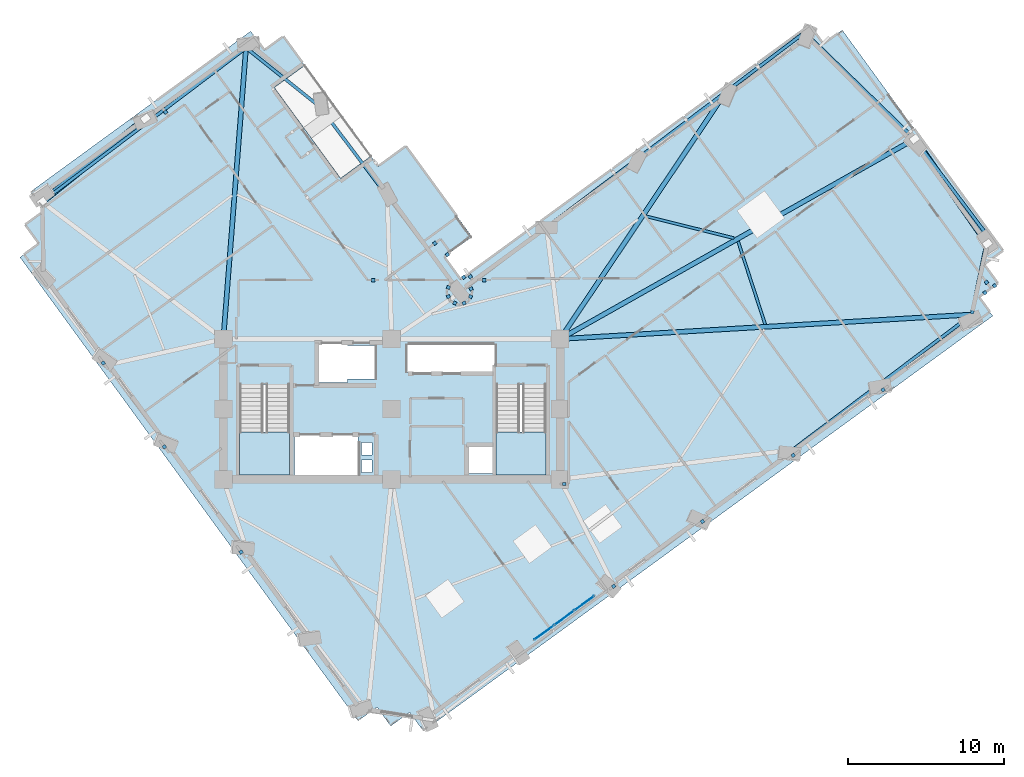
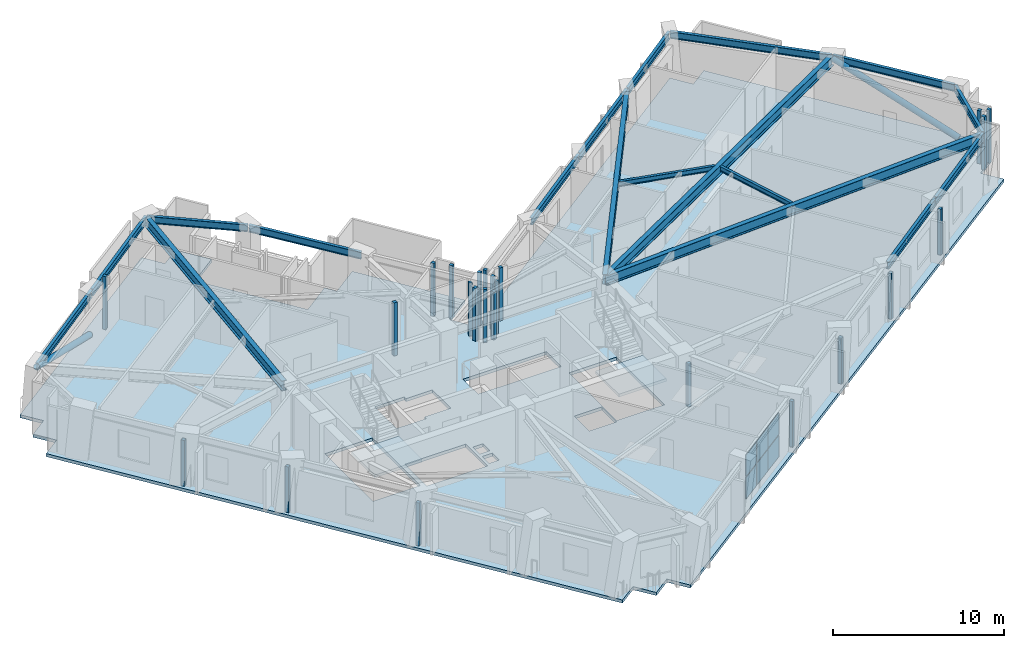
# One storey, part 3 of 14: 30 plates, 18 beams, 3 slabs, 2 members, 3 elements without a shape of their own.
"""IFC4 building model written with IfcOpenShell, lengths in metres."""

from ifc_helpers import new_model, si_unit, direction, frame, origin, origin_2d, place, context, subcontext, project, spatial, polyline, rectangle, hollow_circle, i_section, outline, extrude, material, layer, layer_set, material_profile, profile_set, type_object, element, aggregate, save


model = new_model("IFC4")

# Units and contexts
model_context = context("Model", 3, precision=1e-05, world=origin(), true_north=direction((0.0, 1.0)))
body_context = subcontext(model_context, "Body", "Model", "MODEL_VIEW")
ifc_project = project(units=[si_unit("LENGTHUNIT", "METRE"), si_unit("AREAUNIT", "SQUARE_METRE"), si_unit("VOLUMEUNIT", "CUBIC_METRE"), si_unit("PLANEANGLEUNIT", "RADIAN"), si_unit("MASSUNIT", "GRAM", prefix="KILO")], contexts=[model_context])

# Site, building, storey
site_placement = place(None, origin())
site = spatial("IfcSite", under=ifc_project, at=site_placement, CompositionType="ELEMENT")
building_placement = place(site_placement, origin())
building = spatial("IfcBuilding", under=site, at=building_placement, Name="Gaonmaruhae Medical Tower", CompositionType="ELEMENT")
storey_placement = place(building_placement, frame((0.0, 0.0, 177.800048828125)))
storey = spatial("IfcBuildingStorey", under=building, at=storey_placement, Name="L42", CompositionType="ELEMENT", Elevation=177.800048828125)

# Beams
ifc_material_1 = material(Name="Steel SM355", Category="steel")
ifc_material_profile_1 = material_profile(ifc_material_1, i_section(OverallWidth=0.175048828125, OverallDepth=0.35009765625, WebThickness=0.007080078125, FlangeThickness=0.010986328125, FilletRadius=0.012939453125, at=origin_2d()), Name="H-350x175x7x11")
ifc_profile_set_1 = profile_set([ifc_material_profile_1], Name="Steel SM355")
beam_type_1 = type_object("IfcBeamType", Name="FJ-02 Upper Zone Ward Floor Joist (H-350x175x7x11)", PredefinedType="JOIST", material=ifc_profile_set_1)
beam_1_placement = place(storey_placement, frame((48.755126953125, 17.73779296875, 3.60498046875), z_axis=(-0.310324617175, 0.950630649608, 0.0), x_axis=(-0.950630649608, -0.310324617175, 0.0)))
element("IfcBeam", 1, at=beam_1_placement, inside=storey, type_object=beam_type_1, Name="L42 Secondary Floor Joist FJ04", PredefinedType="JOIST", context=body_context, shape_type="SweptSolid", body=[
    extrude(i_section(OverallWidth=0.175048828125, OverallDepth=0.35009765625, WebThickness=0.007080078125, FlangeThickness=0.010986328125, FilletRadius=0.012939453125, at=origin_2d()), origin(), (0.0, 0.0, 1.0), 5.6015625),
])
beam_2_placement = place(storey_placement, frame((46.749755859375, 23.26806640625, 3.60498046875), z_axis=(-0.970433957363, 0.241366804672, 0.0), x_axis=(-0.241366804672, -0.970433957363, 0.0)))
element("IfcBeam", 2, at=beam_2_placement, inside=storey, type_object=beam_type_1, Name="L42 Secondary Floor Joist FJ05", PredefinedType="JOIST", context=body_context, shape_type="SweptSolid", body=[
    extrude(i_section(OverallWidth=0.175048828125, OverallDepth=0.35009765625, WebThickness=0.007080078125, FlangeThickness=0.010986328125, FilletRadius=0.012939453125, at=origin_2d()), origin(), (0.0, 0.0, 1.0), 5.849365234375),
])

# Members
ifc_material_2 = material(Name="Steel SM420", Category="steel")
ifc_material_profile_2 = material_profile(ifc_material_2, hollow_circle(Radius=0.203125, WallThickness=0.0126953125, at=origin_2d()), Name="CHS-406.4x12.7")
ifc_profile_set_2 = profile_set([ifc_material_profile_2], Name="Steel SM420")
member_type = type_object("IfcMemberType", Name="PB-02 Perimeter Solid-Bay Tube Brace Mid (CHS-406.4x12.7)", PredefinedType="BRACE", material=ifc_profile_set_2)
member_1_placement = place(storey_placement, frame((63.00732421875, 22.914794921875, 0.25), z_axis=(-0.530223486642, 0.761784146134, 0.372220323077), x_axis=(-0.820760373534, -0.571272622516, 0.0)))
element("IfcMember", 3, at=member_1_placement, inside=storey, type_object=member_type, Name="L42 Perimeter Tube Solid-Bay Brace E01-E02", PredefinedType="BRACE", context=body_context, shape_type="SweptSolid", body=[
    extrude(hollow_circle(Radius=0.203125, WallThickness=0.0126953125, at=origin_2d()), origin(), (0.0, 0.0, 1.0), 8.81201171875),
])
member_2_placement = place(storey_placement, frame((9.01025390625, 30.94091796875, 0.25), z_axis=(-0.726963451871, -0.585386057205, 0.358953066114), x_axis=(0.62718437688, -0.778870822023, 0.0)))
element("IfcMember", 4, at=member_2_placement, inside=storey, type_object=member_type, Name="L42 Perimeter Tube Solid-Bay Brace N02-N03", PredefinedType="BRACE", context=body_context, shape_type="SweptSolid", body=[
    extrude(hollow_circle(Radius=0.203125, WallThickness=0.0126953125, at=origin_2d()), origin(), (0.0, 0.0, 1.0), 9.1376953125),
])

# Beams
ifc_material_profile_3 = material_profile(ifc_material_2, i_section(OverallWidth=0.300048828125, OverallDepth=0.699951171875, WebThickness=0.012939453125, FlangeThickness=0.02392578125, FilletRadius=0.01806640625, at=origin_2d()), Name="H-700x300x13x24")
ifc_profile_set_3 = profile_set([ifc_material_profile_3], Name="Steel SM420")
beam_type_2 = type_object("IfcBeamType", Name="PG-03 Zone 3 Radial Floor Girder (H-700x300x13x24)", PredefinedType="BEAM", material=ifc_profile_set_3)
beam_3_placement = place(storey_placement, frame((35.64990234375, 16.802978515625, 3.429931640625), z_axis=(0.998239607986, 0.059310075439, 0.0), x_axis=(-0.059310075439, 0.998239607986, 0.0)))
element("IfcBeam", 5, at=beam_3_placement, inside=storey, type_object=beam_type_2, Name="L42 Radial Primary Girder S07", PredefinedType="BEAM", context=body_context, shape_type="SweptSolid", body=[
    extrude(i_section(OverallWidth=0.300048828125, OverallDepth=0.699951171875, WebThickness=0.012939453125, FlangeThickness=0.02392578125, FilletRadius=0.01806640625, at=origin_2d()), origin(), (0.0, 0.0, 1.0), 26.35693359375),
])
beam_4_placement = place(storey_placement, frame((35.6435546875, 16.824462890625, 3.429931640625), z_axis=(0.870928397763, 0.491409936784, 0.0), x_axis=(-0.491409936784, 0.870928397763, 0.0)))
element("IfcBeam", 6, at=beam_4_placement, inside=storey, type_object=beam_type_2, Name="L42 Radial Primary Girder E02", PredefinedType="BEAM", context=body_context, shape_type="SweptSolid", body=[
    extrude(i_section(OverallWidth=0.300048828125, OverallDepth=0.699951171875, WebThickness=0.012939453125, FlangeThickness=0.02392578125, FilletRadius=0.01806640625, at=origin_2d()), origin(), (0.0, 0.0, 1.0), 26.00439453125),
])
beam_5_placement = place(storey_placement, frame((35.6279296875, 16.841552734375, 3.429931640625), z_axis=(0.557076453789, 0.830461211999, 0.0), x_axis=(-0.830461211999, 0.557076453789, 0.0)))
element("IfcBeam", 7, at=beam_5_placement, inside=storey, type_object=beam_type_2, Name="L42 Radial Primary Girder EN01", PredefinedType="BEAM", context=body_context, shape_type="SweptSolid", body=[
    extrude(i_section(OverallWidth=0.300048828125, OverallDepth=0.699951171875, WebThickness=0.012939453125, FlangeThickness=0.02392578125, FilletRadius=0.01806640625, at=origin_2d()), origin(), (0.0, 0.0, 1.0), 18.973388671875),
])
beam_6_placement = place(storey_placement, frame((14.00390625, 16.849853515625, 3.429931640625), z_axis=(0.077751713366, 0.996972753423, 0.0), x_axis=(-0.996972753423, 0.077751713366, 0.0)))
element("IfcBeam", 8, at=beam_6_placement, inside=storey, type_object=beam_type_2, Name="L42 Radial Primary Girder N01", PredefinedType="BEAM", context=body_context, shape_type="SweptSolid", body=[
    extrude(i_section(OverallWidth=0.300048828125, OverallDepth=0.699951171875, WebThickness=0.012939453125, FlangeThickness=0.02392578125, FilletRadius=0.01806640625, at=origin_2d()), origin(), (0.0, 0.0, 1.0), 18.629638671875),
])
ifc_material_profile_4 = material_profile(ifc_material_1, i_section(OverallWidth=0.199951171875, OverallDepth=0.5, WebThickness=0.010009765625, FlangeThickness=0.01611328125, FilletRadius=0.012939453125, at=origin_2d()), Name="H-500x200x10x16")
ifc_profile_set_4 = profile_set([ifc_material_profile_4], Name="Steel SM355")
beam_type_3 = type_object("IfcBeamType", Name="SP-02 Upper Perimeter Spandrel Beam (H-500x200x10x16)", PredefinedType="SPANDREL", material=ifc_profile_set_4)
beam_7_placement = place(storey_placement, frame((50.549560546875, 9.71728515625, 3.530029296875), z_axis=(0.798107325275, 0.602515308804, 0.0), x_axis=(-0.602515308804, 0.798107325275, 0.0)))
element("IfcBeam", 9, at=beam_7_placement, inside=storey, type_object=beam_type_3, Name="L42 Perimeter Spandrel Beam S05-S06", PredefinedType="SPANDREL", context=body_context, shape_type="SweptSolid", body=[
    extrude(i_section(OverallWidth=0.199951171875, OverallDepth=0.5, WebThickness=0.010009765625, FlangeThickness=0.01611328125, FilletRadius=0.012939453125, at=origin_2d()), origin(), (0.0, 0.0, 1.0), 7.119873046875),
])
beam_8_placement = place(storey_placement, frame((56.2958984375, 14.05517578125, 3.530029296875), z_axis=(0.798103284433, 0.60252066137, 0.0), x_axis=(-0.60252066137, 0.798103284433, 0.0)))
element("IfcBeam", 10, at=beam_8_placement, inside=storey, type_object=beam_type_3, Name="L42 Perimeter Spandrel Beam S06-S07", PredefinedType="SPANDREL", context=body_context, shape_type="SweptSolid", body=[
    extrude(i_section(OverallWidth=0.199951171875, OverallDepth=0.5, WebThickness=0.010009765625, FlangeThickness=0.01611328125, FilletRadius=0.012939453125, at=origin_2d()), origin(), (0.0, 0.0, 1.0), 7.1201171875),
])
beam_9_placement = place(storey_placement, frame((62.018310546875, 18.408447265625, 3.530029296875), z_axis=(0.199411312026, 0.979915878347, 0.0), x_axis=(-0.979915878347, 0.199411312026, 0.0)))
element("IfcBeam", 11, at=beam_9_placement, inside=storey, type_object=beam_type_3, Name="L42 Perimeter Spandrel Beam S07-E01", PredefinedType="SPANDREL", context=body_context, shape_type="SweptSolid", body=[
    extrude(i_section(OverallWidth=0.199951171875, OverallDepth=0.5, WebThickness=0.010009765625, FlangeThickness=0.01611328125, FilletRadius=0.012939453125, at=origin_2d()), origin(), (0.0, 0.0, 1.0), 5.056396484375),
])
beam_10_placement = place(storey_placement, frame((63.010498046875, 23.434326171875, 3.530029296875), z_axis=(-0.602496616436, 0.798121436364, 0.0), x_axis=(-0.798121436364, -0.602496616436, 0.0)))
element("IfcBeam", 12, at=beam_10_placement, inside=storey, type_object=beam_type_3, Name="L42 Perimeter Spandrel Beam E01-E02", PredefinedType="SPANDREL", context=body_context, shape_type="SweptSolid", body=[
    extrude(i_section(OverallWidth=0.199951171875, OverallDepth=0.5, WebThickness=0.010009765625, FlangeThickness=0.01611328125, FilletRadius=0.012939453125, at=origin_2d()), origin(), (0.0, 0.0, 1.0), 7.72021484375),
])
beam_11_placement = place(storey_placement, frame((58.30615234375, 29.65576171875, 3.530029296875), z_axis=(-0.717412942698, 0.696648167764, 0.0), x_axis=(-0.696648167764, -0.717412942698, 0.0)))
element("IfcBeam", 13, at=beam_11_placement, inside=storey, type_object=beam_type_3, Name="L42 Perimeter Spandrel Beam E02-E03", PredefinedType="SPANDREL", context=body_context, shape_type="SweptSolid", body=[
    extrude(i_section(OverallWidth=0.199951171875, OverallDepth=0.5, WebThickness=0.010009765625, FlangeThickness=0.01611328125, FilletRadius=0.012939453125, at=origin_2d()), origin(), (0.0, 0.0, 1.0), 9.735107421875),
])
beam_12_placement = place(storey_placement, frame((51.261474609375, 36.441650390625, 3.530029296875), z_axis=(-0.798103654473, -0.602520171211, 0.0), x_axis=(0.602520171211, -0.798103654473, 0.0)))
element("IfcBeam", 14, at=beam_12_placement, inside=storey, type_object=beam_type_3, Name="L42 Perimeter Spandrel Beam E03-EN01", PredefinedType="SPANDREL", context=body_context, shape_type="SweptSolid", body=[
    extrude(i_section(OverallWidth=0.199951171875, OverallDepth=0.5, WebThickness=0.010009765625, FlangeThickness=0.01611328125, FilletRadius=0.012939453125, at=origin_2d()), origin(), (0.0, 0.0, 1.0), 6.27001953125),
])
beam_13_placement = place(storey_placement, frame((46.193603515625, 32.61572265625, 3.530029296875), z_axis=(-0.798103284433, -0.60252066137, 0.0), x_axis=(0.60252066137, -0.798103284433, 0.0)))
element("IfcBeam", 15, at=beam_13_placement, inside=storey, type_object=beam_type_3, Name="L42 Perimeter Spandrel Beam EN01-EN02", PredefinedType="SPANDREL", context=body_context, shape_type="SweptSolid", body=[
    extrude(i_section(OverallWidth=0.199951171875, OverallDepth=0.5, WebThickness=0.010009765625, FlangeThickness=0.01611328125, FilletRadius=0.012939453125, at=origin_2d()), origin(), (0.0, 0.0, 1.0), 7.1201171875),
])
beam_14_placement = place(storey_placement, frame((40.447021484375, 28.277587890625, 3.530029296875), z_axis=(-0.798090836063, -0.602537150217, 0.0), x_axis=(0.602537150217, -0.798090836063, 0.0)))
element("IfcBeam", 16, at=beam_14_placement, inside=storey, type_object=beam_type_3, Name="L42 Perimeter Spandrel Beam EN02-EN03", PredefinedType="SPANDREL", context=body_context, shape_type="SweptSolid", body=[
    extrude(i_section(OverallWidth=0.199951171875, OverallDepth=0.5, WebThickness=0.010009765625, FlangeThickness=0.01611328125, FilletRadius=0.012939453125, at=origin_2d()), origin(), (0.0, 0.0, 1.0), 7.119873046875),
])
beam_15_placement = place(storey_placement, frame((24.4921875, 25.993408203125, 3.510009765625), z_axis=(-0.602498819873, 0.798119772999, 0.0), x_axis=(-0.798119772999, -0.602498819873, 0.0)))
element("IfcBeam", 17, at=beam_15_placement, inside=storey, type_object=beam_type_3, Name="L42 Perimeter Spandrel Beam NE01-NE02", PredefinedType="SPANDREL", context=body_context, shape_type="SweptSolid", body=[
    extrude(i_section(OverallWidth=0.199951171875, OverallDepth=0.5, WebThickness=0.010009765625, FlangeThickness=0.01611328125, FilletRadius=0.012939453125, at=origin_2d()), origin(), (0.0, 0.0, 1.0), 7.1201171875),
])
beam_16_placement = place(storey_placement, frame((20.14697265625, 31.732666015625, 3.510009765625), z_axis=(-0.781867020769, 0.623445235633, 0.0), x_axis=(-0.623445235633, -0.781867020769, 0.0)))
element("IfcBeam", 18, at=beam_16_placement, inside=storey, type_object=beam_type_3, Name="L42 Perimeter Spandrel Beam NE02-N01", PredefinedType="SPANDREL", context=body_context, shape_type="SweptSolid", body=[
    extrude(i_section(OverallWidth=0.199951171875, OverallDepth=0.5, WebThickness=0.010009765625, FlangeThickness=0.01611328125, FilletRadius=0.012939453125, at=origin_2d()), origin(), (0.0, 0.0, 1.0), 5.95947265625),
])
beam_17_placement = place(storey_placement, frame((15.42431640625, 35.448974609375, 3.530029296875), z_axis=(-0.79810539892, -0.602517860494, 0.0), x_axis=(0.602517860494, -0.79810539892, 0.0)))
element("IfcBeam", 19, at=beam_17_placement, inside=storey, type_object=beam_type_3, Name="L42 Perimeter Spandrel Beam N01-N02", PredefinedType="SPANDREL", context=body_context, shape_type="SweptSolid", body=[
    extrude(i_section(OverallWidth=0.199951171875, OverallDepth=0.5, WebThickness=0.010009765625, FlangeThickness=0.01611328125, FilletRadius=0.012939453125, at=origin_2d()), origin(), (0.0, 0.0, 1.0), 8.119873046875),
])
beam_18_placement = place(storey_placement, frame((8.8798828125, 30.50830078125, 3.530029296875), z_axis=(-0.798116313778, -0.602503402215, 0.0), x_axis=(0.602503402215, -0.798116313778, 0.0)))
element("IfcBeam", 20, at=beam_18_placement, inside=storey, type_object=beam_type_3, Name="L42 Perimeter Spandrel Beam N02-N03", PredefinedType="SPANDREL", context=body_context, shape_type="SweptSolid", body=[
    extrude(i_section(OverallWidth=0.199951171875, OverallDepth=0.5, WebThickness=0.010009765625, FlangeThickness=0.01611328125, FilletRadius=0.012939453125, at=origin_2d()), origin(), (0.0, 0.0, 1.0), 8.1201171875),
])

# Curtain wall, plates
ifc_material_3 = material(Name="Anodised aluminium and Low-E double glazing", Category="aluminium")
curtain_wall_type = type_object("IfcCurtainWallType", Name="CW-S3 Spiralling Dayroom Ribbon Curtain Wall", PredefinedType="NOTDEFINED", material=ifc_material_3)
curtain_wall_placement = place(storey_placement, origin())
curtain_wall = element("IfcCurtainWall", 21, at=curtain_wall_placement, inside=storey, type_object=curtain_wall_type, Name="L42 Curtain Wall CW-L42-S02", PredefinedType="NOTDEFINED")
ifc_material_4 = material(Name="Insulated fritted spandrel glass", Category="glass")
ifc_layer_1 = layer(ifc_material_4, 0.0439453125)
ifc_layer_set_1 = layer_set([ifc_layer_1], Name="Insulated fritted spandrel glass")
plate_type_1 = type_object("IfcPlateType", Name="CWP-S1 Insulated Fritted Spandrel Panel", PredefinedType="CURTAIN_PANEL", material=ifc_layer_set_1)
plate_1_placement = place(storey_placement, frame((37.158447265625, -0.142578125, 0.06494140625), z_axis=(0.0, 0.0, 1.0), x_axis=(-0.807990926039, -0.589194928219, 0.0)))
plate_1 = element("IfcPlate", 22, at=plate_1_placement, type_object=plate_type_1, Name="CW-S3 panel 1.1", PredefinedType="CURTAIN_PANEL", context=body_context, shape_type="SweptSolid", body=[
    extrude(rectangle(XDim=1.515380859375, YDim=0.0439453125, at=origin_2d()), origin(), (0.0, 0.0, 1.0), 1.534912109375),
])
plate_2_placement = place(storey_placement, frame((37.158447265625, -0.142578125, 1.6650390625), z_axis=(0.0, 0.0, 1.0), x_axis=(-0.807990926039, -0.589194928219, 0.0)))
plate_2 = element("IfcPlate", 23, at=plate_2_placement, type_object=plate_type_1, Name="CW-S3 panel 1.2", PredefinedType="CURTAIN_PANEL", context=body_context, shape_type="SweptSolid", body=[
    extrude(rectangle(XDim=1.515380859375, YDim=0.0439453125, at=origin_2d()), origin(), (0.0, 0.0, 1.0), 1.534912109375),
])
plate_3_placement = place(storey_placement, frame((35.868408203125, -1.083251953125, 0.06494140625), z_axis=(0.0, 0.0, 1.0), x_axis=(-0.807990926039, -0.589194928219, 0.0)))
plate_3 = element("IfcPlate", 24, at=plate_3_placement, type_object=plate_type_1, Name="CW-S3 panel 2.1", PredefinedType="CURTAIN_PANEL", context=body_context, shape_type="SweptSolid", body=[
    extrude(rectangle(XDim=1.5478515625, YDim=0.0439453125, at=origin_2d()), origin(), (0.0, 0.0, 1.0), 1.534912109375),
])
plate_4_placement = place(storey_placement, frame((35.868408203125, -1.083251953125, 1.6650390625), z_axis=(0.0, 0.0, 1.0), x_axis=(-0.807990926039, -0.589194928219, 0.0)))
plate_4 = element("IfcPlate", 25, at=plate_4_placement, type_object=plate_type_1, Name="CW-S3 panel 2.2", PredefinedType="CURTAIN_PANEL", context=body_context, shape_type="SweptSolid", body=[
    extrude(rectangle(XDim=1.5478515625, YDim=0.0439453125, at=origin_2d()), origin(), (0.0, 0.0, 1.0), 1.534912109375),
])
plate_5_placement = place(storey_placement, frame((34.578369140625, -2.02392578125, 0.06494140625), z_axis=(0.0, 0.0, 1.0), x_axis=(-0.807990926039, -0.589194928219, 0.0)))
plate_5 = element("IfcPlate", 26, at=plate_5_placement, type_object=plate_type_1, Name="CW-S3 panel 3.1", PredefinedType="CURTAIN_PANEL", context=body_context, shape_type="SweptSolid", body=[
    extrude(rectangle(XDim=1.515380859375, YDim=0.0439453125, at=origin_2d()), origin(), (0.0, 0.0, 1.0), 1.534912109375),
])
plate_6_placement = place(storey_placement, frame((34.578369140625, -2.02392578125, 1.6650390625), z_axis=(0.0, 0.0, 1.0), x_axis=(-0.807990926039, -0.589194928219, 0.0)))
plate_6 = element("IfcPlate", 27, at=plate_6_placement, type_object=plate_type_1, Name="CW-S3 panel 3.2", PredefinedType="CURTAIN_PANEL", context=body_context, shape_type="SweptSolid", body=[
    extrude(rectangle(XDim=1.515380859375, YDim=0.0439453125, at=origin_2d()), origin(), (0.0, 0.0, 1.0), 1.534912109375),
])
aggregate(curtain_wall, [plate_1, plate_2, plate_3, plate_4, plate_5, plate_6])

# Slab
ifc_material_5 = material(Name="Concrete C40/50", Category="concrete")
ifc_layer_2 = layer(ifc_material_5, 0.219970703125)
ifc_layer_set_2 = layer_set([ifc_layer_2], Name="Concrete C40/50")
slab_type_1 = type_object("IfcSlabType", Name="FS-220 Clinical Ward Composite Floor Slab", PredefinedType="FLOOR", material=ifc_layer_set_2)
slab_1_placement = place(storey_placement, frame((0.0, 0.0, -0.219970703125)))
element("IfcSlab", 28, at=slab_1_placement, inside=storey, type_object=slab_type_1, Name="L42 Structural Slab 1", PredefinedType="FLOOR", context=body_context, shape_type="SweptSolid", body=[
    extrude(outline(polyline([(51.604736328125, 36.939208984375), (52.488525390625, 35.727294921875), (53.700439453125, 36.611083984375), (64.011474609375, 22.47119140625), (62.799560546875, 21.58740234375), (63.683349609375, 20.37548828125), (62.47119140625, 19.49169921875), (63.35498046875, 18.279541015625), (26.833984375, -8.35205078125), (25.9501953125, -7.14013671875), (24.73828125, -8.02392578125), (23.8544921875, -6.81201171875), (22.642333984375, -7.69580078125), (0.9599609375, 22.038330078125), (2.171875, 22.922119140625), (1.2880859375, 24.134033203125), (2.5, 25.017822265625), (1.6162109375, 26.22998046875), (15.756103515625, 36.540771484375), (16.639892578125, 35.328857421875), (17.851806640625, 36.212646484375), (19.217041015625, 34.340576171875), (17.27783203125, 32.926513671875), (21.52001953125, 27.10888671875), (23.459228515625, 28.52294921875), (23.9306640625, 27.876708984375), (25.708251953125, 29.1728515625), (29.950439453125, 23.355224609375), (28.1728515625, 22.05908203125), (29.223388671875, 20.618408203125), (51.604736328125, 36.939208984375)]), holes=[polyline([(23.550048828125, 8.25), (22.85009765625, 8.25), (22.85009765625, 9.050048828125), (23.550048828125, 9.050048828125), (23.550048828125, 8.25)]), polyline([(31.425048828125, 9.925048828125), (31.425048828125, 8.175048828125), (29.574951171875, 8.175048828125), (29.574951171875, 9.925048828125), (31.425048828125, 9.925048828125)]), polyline([(22.64990234375, 10.625), (22.64990234375, 8.074951171875), (18.550048828125, 8.074951171875), (18.550048828125, 10.625), (22.64990234375, 10.625)]), polyline([(23.550048828125, 9.35009765625), (22.85009765625, 9.35009765625), (22.85009765625, 10.14990234375), (23.550048828125, 10.14990234375), (23.550048828125, 9.35009765625)]), polyline([(15.050048828125, 13.889892578125), (18.25, 13.889892578125), (18.25, 8.300048828125), (15.050048828125, 8.300048828125), (15.050048828125, 13.889892578125)]), polyline([(31.5, 13.889892578125), (34.699951171875, 13.889892578125), (34.699951171875, 8.300048828125), (31.5, 8.300048828125), (31.5, 13.889892578125)]), polyline([(21.949951171875, 14.22509765625), (21.949951171875, 14.02490234375), (19.949951171875, 14.02490234375), (19.949951171875, 16.574951171875), (21.949951171875, 16.574951171875), (21.949951171875, 16.375), (23.72509765625, 16.375), (23.72509765625, 14.22509765625), (21.949951171875, 14.22509765625)]), polyline([(31.425048828125, 16.425048828125), (31.425048828125, 14.675048828125), (25.824951171875, 14.675048828125), (25.824951171875, 16.425048828125), (31.425048828125, 16.425048828125)])]), origin(), (0.0, 0.0, 1.0), 0.219970703125),
])

# Plates
ifc_material_6 = material(Name="Anodised aluminium 6063-T6", Category="aluminium")
ifc_layer_3 = layer(ifc_material_6, 0.011962890625)
ifc_layer_set_3 = layer_set([ifc_layer_3], Name="Anodised aluminium 6063-T6")
plate_type_2 = type_object("IfcPlateType", Name="PP-01 Interior Partition Corner Stiffener Plate", PredefinedType="SHEET", material=ifc_layer_set_3)
plate_7_placement = place(storey_placement, frame((39.03759765625, 0.943115234375, 0.0), z_axis=(0.0, 0.0, 1.0), x_axis=(-0.807578350374, -0.589760297076, 0.0)))
element("IfcPlate", 29, at=plate_7_placement, inside=storey, type_object=plate_type_2, Name="L42 Partition Corner Stiffener Plate PLT-L42-JGP-PW016", PredefinedType="SHEET", context=body_context, shape_type="SweptSolid", body=[
    extrude(rectangle(XDim=0.219970703125, YDim=0.219970703125, at=origin_2d()), origin(), (0.0, 0.0, 1.0), 3.264892578125),
])
plate_8_placement = place(storey_placement, frame((35.875, 7.5, 0.0), z_axis=(0.0, 0.0, 1.0), x_axis=(1.0, 0.0, 0.0)))
element("IfcPlate", 30, at=plate_8_placement, inside=storey, type_object=plate_type_2, Name="L42 Partition Corner Stiffener Plate PLT-L42-JGP-PW017", PredefinedType="SHEET", context=body_context, shape_type="SweptSolid", body=[
    extrude(rectangle(XDim=0.219970703125, YDim=0.219970703125, at=origin_2d()), origin(), (0.0, 0.0, 1.0), 3.06494140625),
])
for number, where, z_axis, x_axis, name in (
    (31, (44.7314453125, 5.095947265625, 0.0), (0.0, 0.0, 1.0), (-0.808041297903, -0.589125844691, 0.0), "L42 Partition Corner Stiffener Plate PLT-L42-JGP-PW020"),
    (32, (50.549072265625, 9.33740234375, 0.0), (0.0, 0.0, 1.0), (-0.808164666408, -0.588956595998, 0.0), "L42 Partition Corner Stiffener Plate PLT-L42-JGP-PW027"),
    (33, (56.3134765625, 13.541015625, 0.0), (0.0, 0.0, 1.0), (-0.808329102603, -0.588730890887, 0.0), "L42 Partition Corner Stiffener Plate PLT-L42-JGP-PW030"),
):
    element("IfcPlate", number, at=place(storey_placement, frame(where, z_axis=z_axis, x_axis=x_axis)), inside=storey, type_object=plate_type_2, Name=name, PredefinedType="SHEET", context=body_context, shape_type="SweptSolid", body=[
        extrude(rectangle(XDim=0.219970703125, YDim=0.219970703125, at=origin_2d()), origin(), (0.0, 0.0, 1.0), 3.264892578125),
    ])
for number, where, z_axis, x_axis, name in (
    (34, (62.947021484375, 20.43408203125, 0.0), (0.0, 0.0, 1.0), (0.589647532118, -0.807660688574, 0.0), "L42 Partition Corner Stiffener Plate PLT-L42-JGP-PW036"),
    (35, (62.85107421875, 19.7685546875, 0.0), (0.0, 0.0, 1.0), (-0.808596176972, -0.588364022172, 0.0), "L42 Partition Corner Stiffener Plate PLT-L42-JGP-PW037"),
):
    element("IfcPlate", number, at=place(storey_placement, frame(where, z_axis=z_axis, x_axis=x_axis)), inside=storey, type_object=plate_type_2, Name=name, PredefinedType="SHEET", context=body_context, shape_type="SweptSolid", body=[
        extrude(rectangle(XDim=0.219970703125, YDim=0.219970703125, at=origin_2d()), origin(), (0.0, 0.0, 1.0), 3.780029296875),
    ])
plate_9_placement = place(storey_placement, frame((15.139404296875, 3.136474609375, 0.0), z_axis=(0.0, 0.0, 1.0), x_axis=(-0.589069431331, 0.808082424677, 0.0)))
element("IfcPlate", 36, at=plate_9_placement, inside=storey, type_object=plate_type_2, Name="L42 Partition Corner Stiffener Plate PLT-L42-JGP-PW039", PredefinedType="SHEET", context=body_context, shape_type="SweptSolid", body=[
    extrude(rectangle(XDim=0.219970703125, YDim=0.219970703125, at=origin_2d()), origin(), (0.0, 0.0, 1.0), 3.06494140625),
])
for number, where, z_axis, x_axis, name in (
    (37, (10.219482421875, 9.882568359375, 0.0), (0.0, 0.0, 1.0), (-0.589788486519, 0.807557763364, 0.0), "L42 Partition Corner Stiffener Plate PLT-L42-JGP-PW043"),
    (38, (6.302490234375, 15.2548828125, 0.0), (0.0, 0.0, 1.0), (-0.589196357353, 0.807989883898, 0.0), "L42 Partition Corner Stiffener Plate PLT-L42-JGP-PW049"),
):
    element("IfcPlate", number, at=place(storey_placement, frame(where, z_axis=z_axis, x_axis=x_axis)), inside=storey, type_object=plate_type_2, Name=name, PredefinedType="SHEET", context=body_context, shape_type="SweptSolid", body=[
        extrude(rectangle(XDim=0.219970703125, YDim=0.219970703125, at=origin_2d()), origin(), (0.0, 0.0, 1.0), 3.264892578125),
    ])
for number, where, z_axis, x_axis, name in (
    (39, (29.4208984375, 20.762451171875, 0.0), (0.0, 0.0, 1.0), (0.80776358918, 0.589506559755, 0.0), "L42 Partition Corner Stiffener Plate PLT-L42-JGP-PW061"),
    (40, (29.8935546875, 20.017578125, 0.0), (0.0, 0.0, 1.0), (0.38189318027, -0.924206469823, 0.0), "L42 Partition Corner Stiffener Plate PLT-L42-JGP-PW062"),
    (41, (29.85595703125, 19.51806640625, 0.0), (0.0, 0.0, 1.0), (-0.382167381036, -0.924093119157, 0.0), "L42 Partition Corner Stiffener Plate PLT-L42-JGP-PW063"),
):
    element("IfcPlate", number, at=place(storey_placement, frame(where, z_axis=z_axis, x_axis=x_axis)), inside=storey, type_object=plate_type_2, Name=name, PredefinedType="SHEET", context=body_context, shape_type="SweptSolid", body=[
        extrude(rectangle(XDim=0.219970703125, YDim=0.219970703125, at=origin_2d()), origin(), (0.0, 0.0, 1.0), 3.780029296875),
    ])
plate_10_placement = place(storey_placement, frame((29.43896484375, 19.10107421875, 0.0), z_axis=(0.0, 0.0, 1.0), x_axis=(-0.924093119157, -0.382167381036, 0.0)))
element("IfcPlate", 42, at=plate_10_placement, inside=storey, type_object=plate_type_2, Name="L42 Partition Corner Stiffener Plate PLT-L42-JGP-PW064", PredefinedType="SHEET", context=body_context, shape_type="SweptSolid", body=[
    extrude(rectangle(XDim=0.219970703125, YDim=0.219970703125, at=origin_2d()), origin(), (0.0, 0.0, 1.0), 3.4150390625),
])
for number, where, z_axis, x_axis, name in (
    (43, (28.849609375, 19.10107421875, 0.0), (0.0, 0.0, 1.0), (-0.923866173777, 0.382715681611, 0.0), "L42 Partition Corner Stiffener Plate PLT-L42-JGP-PW065"),
    (44, (28.43310546875, 19.51806640625, 0.0), (0.0, 0.0, 1.0), (-0.382167381036, 0.924093119157, 0.0), "L42 Partition Corner Stiffener Plate PLT-L42-JGP-PW066"),
    (45, (28.43310546875, 20.10791015625, 0.0), (0.0, 0.0, 1.0), (0.382167381036, 0.924093119157, 0.0), "L42 Partition Corner Stiffener Plate PLT-L42-JGP-PW067"),
    (46, (27.56640625, 22.9375, 0.0), (0.0, 0.0, 1.0), (0.80784589195, 0.589393768936, 0.0), "L42 Partition Corner Stiffener Plate PLT-L42-JGP-PW070"),
    (47, (28.37109375, 22.20361328125, 0.0), (0.0, 0.0, 1.0), (-0.80776358918, -0.589506559755, 0.0), "L42 Partition Corner Stiffener Plate PLT-L42-JGP-PW072"),
    (48, (30.734619140625, 20.580078125, 0.0), (0.0, 0.0, 1.0), (-1.0, 0.0, 0.0), "L42 Partition Corner Stiffener Plate PLT-L42-JGP-PW074"),
    (49, (29.843994140625, 20.802001953125, 0.0), (0.0, 0.0, 1.0), (-0.588166427292, 0.808739917283, 0.0), "L42 Partition Corner Stiffener Plate PLT-L42-JGP-PW075"),
    (50, (23.615478515625, 20.580078125, 0.0), (0.0, 0.0, 1.0), (-1.0, 0.0, 0.0), "L42 Partition Corner Stiffener Plate PLT-L42-JGP-PW099"),
    (51, (10.29345703125, 31.353515625, 0.0), (0.0, 0.0, 1.0), (-0.589816675243, 0.80753717537, 0.0), "L42 Partition Corner Stiffener Plate PLT-L42-JGP-PW115"),
    (52, (63.465087890625, 20.216064453125, 0.0), (0.0, 0.0, 1.0), (-0.80793846374, -0.589266865529, 0.0), "L42 Partition Corner Stiffener Plate PLT-L42-JGP-PW122"),
):
    element("IfcPlate", number, at=place(storey_placement, frame(where, z_axis=z_axis, x_axis=x_axis)), inside=storey, type_object=plate_type_2, Name=name, PredefinedType="SHEET", context=body_context, shape_type="SweptSolid", body=[
        extrude(rectangle(XDim=0.219970703125, YDim=0.219970703125, at=origin_2d()), origin(), (0.0, 0.0, 1.0), 3.780029296875),
    ])

# Stair, slab
stair_type = type_object("IfcStairType", Name="ST-T1 Primary Core Escape Dogleg Stair", PredefinedType="TWO_QUARTER_TURN_STAIR", material=ifc_material_5)
stair_1_placement = place(storey_placement, origin())
stair_1 = element("IfcStair", 53, at=stair_1_placement, inside=storey, type_object=stair_type, Name="L42 Protected Escape Stair ST-01", PredefinedType="TWO_QUARTER_TURN_STAIR")
ifc_layer_4 = layer(ifc_material_5, 0.199951171875)
ifc_layer_set_4 = layer_set([ifc_layer_4], Name="Concrete C40/50")
slab_type_2 = type_object("IfcSlabType", Name="SL-200 Stair & Ramp Intermediate Concrete Landing", PredefinedType="LANDING", material=ifc_layer_set_4)
slab_2_placement = place(storey_placement, frame((0.0, 0.0, 1.800048828125)))
slab_2 = element("IfcSlab", 54, at=slab_2_placement, type_object=slab_type_2, Name="ST-01 landing 1", PredefinedType="LANDING", context=body_context, shape_type="SweptSolid", body=[
    extrude(outline(polyline([(15.050048828125, 10.820068359375), (15.050048828125, 8.0791015625), (18.25, 8.0791015625), (18.25, 10.820068359375), (15.050048828125, 10.820068359375)])), origin(), (0.0, 0.0, 1.0), 0.199951171875),
])
aggregate(stair_1, [slab_2])

stair_2_placement = place(storey_placement, origin())
stair_2 = element("IfcStair", 55, at=stair_2_placement, inside=storey, type_object=stair_type, Name="L42 Protected Escape Stair ST-02", PredefinedType="TWO_QUARTER_TURN_STAIR")
slab_3_placement = place(storey_placement, frame((0.0, 0.0, 1.800048828125)))
slab_3 = element("IfcSlab", 56, at=slab_3_placement, type_object=slab_type_2, Name="ST-02 landing 1", PredefinedType="LANDING", context=body_context, shape_type="SweptSolid", body=[
    extrude(outline(polyline([(31.5, 10.820068359375), (31.5, 8.0791015625), (34.699951171875, 8.0791015625), (34.699951171875, 10.820068359375), (31.5, 10.820068359375)])), origin(), (0.0, 0.0, 1.0), 0.199951171875),
])
aggregate(stair_2, [slab_3])

save(model, "model.ifc")
